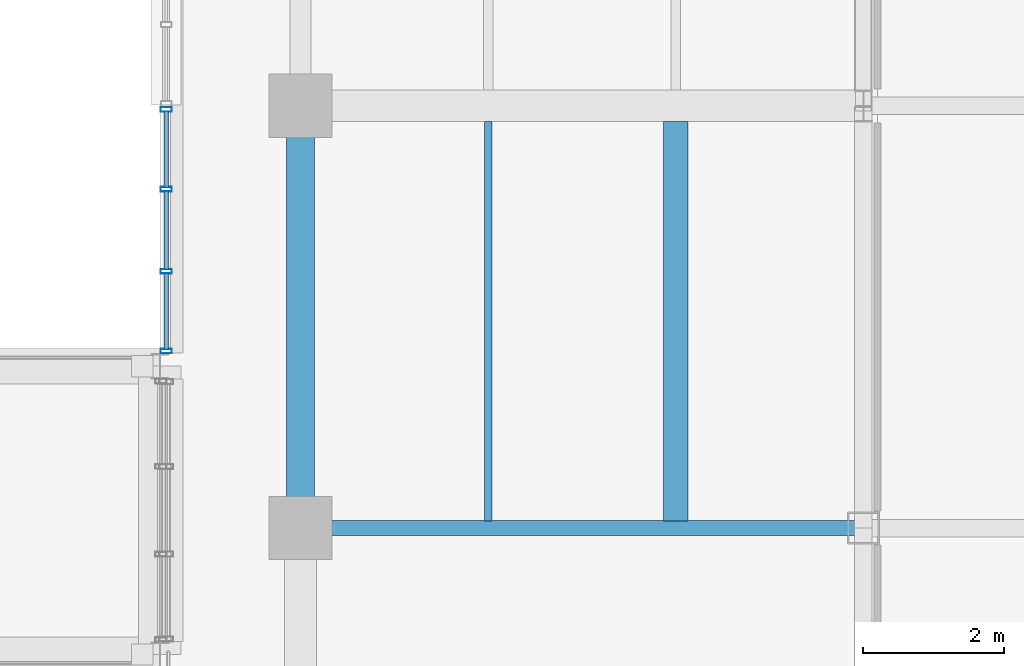
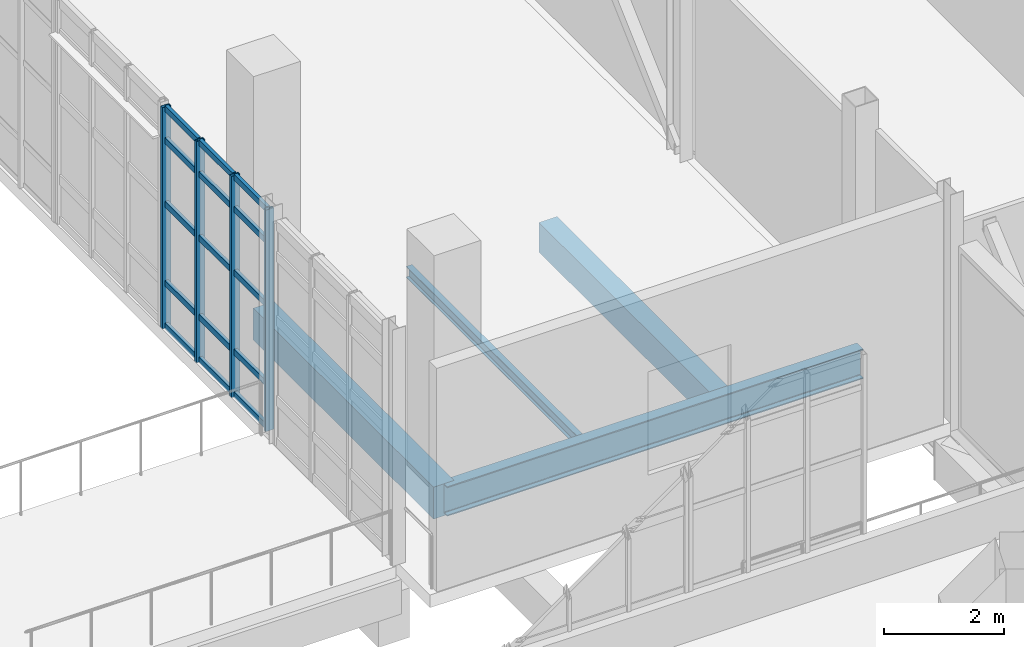
# One storey, part 27 of 100: 19 members, 4 beams, 1 element without a shape of its own.
"""IFC4 building model written with IfcOpenShell, lengths in metres."""

from ifc_helpers import new_model, si_unit, derived_unit, direction, frame, origin, origin_2d, place, context, subcontext, project, spatial, rectangle, hollow_rectangle, i_section, extrude, material, layer, layer_set, material_profile, profile_set, type_object, element, aggregate, save


model = new_model("IFC4")

# Units and contexts
model_context = context("Model", 3, precision=1e-05, world=origin(), true_north=direction((0.0, 1.0)))
body_context = subcontext(model_context, "Body", "Model", "MODEL_VIEW")
ifc_project = project(units=[si_unit("LENGTHUNIT", "METRE"), si_unit("AREAUNIT", "SQUARE_METRE"), si_unit("VOLUMEUNIT", "CUBIC_METRE"), si_unit("PLANEANGLEUNIT", "RADIAN"), si_unit("MASSUNIT", "GRAM", prefix="KILO"), derived_unit("THERMALTRANSMITTANCEUNIT", [(si_unit("POWERUNIT", "WATT"), 1), (si_unit("LENGTHUNIT", "METRE"), -2), (si_unit("THERMODYNAMICTEMPERATUREUNIT", "KELVIN"), -1)])], contexts=[model_context])

# Site, building, storey
site_placement = place(None, origin())
site = spatial("IfcSite", under=ifc_project, at=site_placement, CompositionType="ELEMENT")
building_placement = place(site_placement, origin())
building = spatial("IfcBuilding", under=site, at=building_placement, Name="Nallur Shell Playhouse", CompositionType="ELEMENT")
storey_placement = place(building_placement, frame((0.0, 0.0, 10.199951171875)))
storey = spatial("IfcBuildingStorey", under=building, at=storey_placement, Name="L03", CompositionType="ELEMENT", Elevation=10.199951171875)

# Beams
ifc_material_1 = material(Name="Steel E250", Category="steel")
ifc_material_profile_1 = material_profile(ifc_material_1, i_section(OverallWidth=0.110107421875, OverallDepth=0.22509765625, WebThickness=0.006591796875, FlangeThickness=0.01171875, FilletRadius=0.011962890625, at=origin_2d()), Name="ISMB 225")
ifc_profile_set_1 = profile_set([ifc_material_profile_1], Name="Steel E250")
beam_type_1 = type_object("IfcBeamType", Name="BM-JST-ISMB225", PredefinedType="JOIST", material=ifc_profile_set_1)
beam_1_placement = place(storey_placement, frame((58.666748046875, 50.10302734375, -0.37255859375), z_axis=(0.0, 1.0, 0.0), x_axis=(-1.0, 0.0, 0.0)))
element("IfcBeam", 1, at=beam_1_placement, inside=storey, type_object=beam_type_1, Name="L03 secondary joist 7-F-719", PredefinedType="JOIST", context=body_context, shape_type="SweptSolid", body=[
    extrude(i_section(OverallWidth=0.110107421875, OverallDepth=0.22509765625, WebThickness=0.006591796875, FlangeThickness=0.01171875, FilletRadius=0.011962890625, at=origin_2d()), origin(), (0.0, 0.0, 1.0), 5.674072265625),
])
ifc_material_2 = material(Name="Concrete M30", Category="concrete")
ifc_material_profile_2 = material_profile(ifc_material_2, rectangle(XDim=0.35009765625, YDim=0.60009765625, at=origin_2d()), Name="RC 350x600")
ifc_profile_set_2 = profile_set([ifc_material_profile_2], Name="Concrete M30")
beam_type_2 = type_object("IfcBeamType", Name="BM-RC-350x600", PredefinedType="JOIST", material=ifc_profile_set_2)
beam_2_placement = place(storey_placement, frame((61.333251953125, 50.10302734375, -0.56005859375), z_axis=(0.0, 1.0, 0.0), x_axis=(-1.0, 0.0, 0.0)))
element("IfcBeam", 2, at=beam_2_placement, inside=storey, type_object=beam_type_2, Name="L03 secondary joist 7-F-720", PredefinedType="JOIST", context=body_context, shape_type="SweptSolid", body=[
    extrude(rectangle(XDim=0.35009765625, YDim=0.60009765625, at=origin_2d()), origin(), (0.0, 0.0, 1.0), 5.674072265625),
])
ifc_material_3 = material(Name="Concrete M35", Category="concrete")
ifc_material_profile_3 = material_profile(ifc_material_3, rectangle(XDim=0.39990234375, YDim=0.64990234375, at=origin_2d()), Name="RC 400x650")
ifc_profile_set_3 = profile_set([ifc_material_profile_3], Name="Concrete M35")
beam_type_3 = type_object("IfcBeamType", Name="BM-RC-400x650", PredefinedType="BEAM", material=ifc_profile_set_3)
beam_3_placement = place(storey_placement, frame((56.0, 50.0, -0.5849609375), z_axis=(0.0, 1.0, 0.0), x_axis=(-1.0, 0.0, 0.0)))
element("IfcBeam", 3, at=beam_3_placement, inside=storey, type_object=beam_type_3, Name="L03 girder Y-7-655", PredefinedType="BEAM", context=body_context, shape_type="SweptSolid", body=[
    extrude(rectangle(XDim=0.39990234375, YDim=0.64990234375, at=origin_2d()), origin(), (0.0, 0.0, 1.0), 6.0),
])
ifc_material_4 = material(Name="Steel E350", Category="steel")
ifc_material_profile_4 = material_profile(ifc_material_4, i_section(OverallWidth=0.2099609375, OverallDepth=0.60009765625, WebThickness=0.011962890625, FlangeThickness=0.020751953125, FilletRadius=0.02001953125, at=origin_2d()), Name="ISMB 600")
ifc_profile_set_4 = profile_set([ifc_material_profile_4], Name="Steel E350")
beam_type_4 = type_object("IfcBeamType", Name="BM-ST-ISMB600", PredefinedType="BEAM", material=ifc_profile_set_4)
beam_4_placement = place(storey_placement, frame((56.0, 50.0, -0.56005859375), z_axis=(1.0, 0.0, 0.0), x_axis=(0.0, 1.0, 0.0)))
element("IfcBeam", 4, at=beam_4_placement, inside=storey, type_object=beam_type_4, Name="L03 girder X-F-600", PredefinedType="BEAM", context=body_context, shape_type="SweptSolid", body=[
    extrude(i_section(OverallWidth=0.2099609375, OverallDepth=0.60009765625, WebThickness=0.011962890625, FlangeThickness=0.020751953125, FilletRadius=0.02001953125, at=origin_2d()), origin(), (0.0, 0.0, 1.0), 8.0),
])

# Curtain wall, members
ifc_material_5 = material(Name="Anodised Aluminium Double-Glazed Facade System", Category="aluminium")
ifc_layer = layer(ifc_material_5, 0.172119140625)
ifc_layer_set = layer_set([ifc_layer], Name="Anodised Aluminium Double-Glazed Facade System")
curtain_wall_type = type_object("IfcCurtainWallType", Name="CW-UNIT-03", PredefinedType="NOTDEFINED", material=ifc_layer_set)
curtain_wall_placement = place(storey_placement, origin())
curtain_wall = element("IfcCurtainWall", 5, at=curtain_wall_placement, inside=storey, type_object=curtain_wall_type, Name="Unitised curtain wall CW-067 (L03)", PredefinedType="NOTDEFINED")
ifc_material_6 = material(Name="Aluminium Alloy 6063-T6 Mullion", Category="aluminium")
ifc_material_profile_5 = material_profile(ifc_material_6, hollow_rectangle(XDim=0.06494140625, YDim=0.159912109375, WallThickness=0.00390625, at=origin_2d()), Name="ALU 65x160x4")
ifc_profile_set_5 = profile_set([ifc_material_profile_5], Name="Aluminium Alloy 6063-T6 Mullion")
member_type_1 = type_object("IfcMemberType", Name="MB-CW-MUL160", PredefinedType="MULLION", material=ifc_profile_set_5)
member_1_placement = place(storey_placement, frame((54.090087890625, 52.515380859375, -0.014892578125), z_axis=(0.0, 0.0, 1.0), x_axis=(0.0, 1.0, 0.0)))
member_1 = element("IfcMember", 6, at=member_1_placement, type_object=member_type_1, Name="CW-03 mullion 1", PredefinedType="MULLION", context=body_context, shape_type="SweptSolid", body=[
    extrude(hollow_rectangle(XDim=0.06494140625, YDim=0.159912109375, WallThickness=0.00390625, at=origin_2d()), origin(), (0.0, 0.0, 1.0), 4.4990234375),
])
member_2_placement = place(storey_placement, frame((54.090087890625, 53.649169921875, -0.014892578125), z_axis=(0.0, 0.0, 1.0), x_axis=(0.0, 1.0, 0.0)))
member_2 = element("IfcMember", 7, at=member_2_placement, type_object=member_type_1, Name="CW-03 mullion 2", PredefinedType="MULLION", context=body_context, shape_type="SweptSolid", body=[
    extrude(hollow_rectangle(XDim=0.06494140625, YDim=0.159912109375, WallThickness=0.00390625, at=origin_2d()), origin(), (0.0, 0.0, 1.0), 4.4990234375),
])
member_3_placement = place(storey_placement, frame((54.090087890625, 54.815185546875, -0.014892578125), z_axis=(0.0, 0.0, 1.0), x_axis=(0.0, 1.0, 0.0)))
member_3 = element("IfcMember", 8, at=member_3_placement, type_object=member_type_1, Name="CW-03 mullion 3", PredefinedType="MULLION", context=body_context, shape_type="SweptSolid", body=[
    extrude(hollow_rectangle(XDim=0.06494140625, YDim=0.159912109375, WallThickness=0.00390625, at=origin_2d()), origin(), (0.0, 0.0, 1.0), 4.4990234375),
])
member_4_placement = place(storey_placement, frame((54.090087890625, 55.948974609375, -0.014892578125), z_axis=(0.0, 0.0, 1.0), x_axis=(0.0, 1.0, 0.0)))
member_4 = element("IfcMember", 9, at=member_4_placement, type_object=member_type_1, Name="CW-03 mullion 4", PredefinedType="MULLION", context=body_context, shape_type="SweptSolid", body=[
    extrude(hollow_rectangle(XDim=0.06494140625, YDim=0.159912109375, WallThickness=0.00390625, at=origin_2d()), origin(), (0.0, 0.0, 1.0), 4.4990234375),
])
ifc_material_7 = material(Name="Aluminium Alloy 6063-T6 Transom", Category="aluminium")
ifc_material_profile_6 = material_profile(ifc_material_7, hollow_rectangle(XDim=0.06494140625, YDim=0.1201171875, WallThickness=0.00390625, at=origin_2d()), Name="ALU 65x120x4")
ifc_profile_set_6 = profile_set([ifc_material_profile_6], Name="Aluminium Alloy 6063-T6 Transom")
member_type_2 = type_object("IfcMemberType", Name="MB-CW-TRN120", PredefinedType="USERDEFINED", material=ifc_profile_set_6)
member_5_placement = place(storey_placement, frame((54.090087890625, 52.5400390625, 0.032470703125), z_axis=(0.0, 1.0, 0.0), x_axis=(-1.0, 0.0, 0.0)))
member_5 = element("IfcMember", 10, at=member_5_placement, type_object=member_type_2, Name="CW-03 transom 1.1", ObjectType="TRANSOM", PredefinedType="USERDEFINED", context=body_context, shape_type="SweptSolid", body=[
    extrude(hollow_rectangle(XDim=0.06494140625, YDim=0.1201171875, WallThickness=0.00390625, at=origin_2d()), origin(), (0.0, 0.0, 1.0), 1.08447265625),
])
member_6_placement = place(storey_placement, frame((54.090087890625, 52.5400390625, 0.900146484375), z_axis=(0.0, 1.0, 0.0), x_axis=(-1.0, 0.0, 0.0)))
member_6 = element("IfcMember", 11, at=member_6_placement, type_object=member_type_2, Name="CW-03 transom 1.2", ObjectType="TRANSOM", PredefinedType="USERDEFINED", context=body_context, shape_type="SweptSolid", body=[
    extrude(hollow_rectangle(XDim=0.06494140625, YDim=0.1201171875, WallThickness=0.00390625, at=origin_2d()), origin(), (0.0, 0.0, 1.0), 1.08447265625),
])
member_7_placement = place(storey_placement, frame((54.090087890625, 52.5400390625, 2.509033203125), z_axis=(0.0, 1.0, 0.0), x_axis=(-1.0, 0.0, 0.0)))
member_7 = element("IfcMember", 12, at=member_7_placement, type_object=member_type_2, Name="CW-03 transom 1.3", ObjectType="TRANSOM", PredefinedType="USERDEFINED", context=body_context, shape_type="SweptSolid", body=[
    extrude(hollow_rectangle(XDim=0.06494140625, YDim=0.1201171875, WallThickness=0.00390625, at=origin_2d()), origin(), (0.0, 0.0, 1.0), 1.08447265625),
])
member_8_placement = place(storey_placement, frame((54.090087890625, 52.5400390625, 3.800048828125), z_axis=(0.0, 1.0, 0.0), x_axis=(-1.0, 0.0, 0.0)))
member_8 = element("IfcMember", 13, at=member_8_placement, type_object=member_type_2, Name="CW-03 transom 1.4", ObjectType="TRANSOM", PredefinedType="USERDEFINED", context=body_context, shape_type="SweptSolid", body=[
    extrude(hollow_rectangle(XDim=0.06494140625, YDim=0.1201171875, WallThickness=0.00390625, at=origin_2d()), origin(), (0.0, 0.0, 1.0), 1.08447265625),
])
member_9_placement = place(storey_placement, frame((54.090087890625, 52.5400390625, 4.447509765625), z_axis=(0.0, 1.0, 0.0), x_axis=(-1.0, 0.0, 0.0)))
member_9 = element("IfcMember", 14, at=member_9_placement, type_object=member_type_2, Name="CW-03 transom 1.5", ObjectType="TRANSOM", PredefinedType="USERDEFINED", context=body_context, shape_type="SweptSolid", body=[
    extrude(hollow_rectangle(XDim=0.06494140625, YDim=0.1201171875, WallThickness=0.00390625, at=origin_2d()), origin(), (0.0, 0.0, 1.0), 1.08447265625),
])
member_10_placement = place(storey_placement, frame((54.090087890625, 53.673583984375, 0.032470703125), z_axis=(0.0, 1.0, 0.0), x_axis=(-1.0, 0.0, 0.0)))
member_10 = element("IfcMember", 15, at=member_10_placement, type_object=member_type_2, Name="CW-03 transom 2.1", ObjectType="TRANSOM", PredefinedType="USERDEFINED", context=body_context, shape_type="SweptSolid", body=[
    extrude(hollow_rectangle(XDim=0.06494140625, YDim=0.1201171875, WallThickness=0.00390625, at=origin_2d()), origin(), (0.0, 0.0, 1.0), 1.1171875),
])
member_11_placement = place(storey_placement, frame((54.090087890625, 53.673583984375, 0.900146484375), z_axis=(0.0, 1.0, 0.0), x_axis=(-1.0, 0.0, 0.0)))
member_11 = element("IfcMember", 16, at=member_11_placement, type_object=member_type_2, Name="CW-03 transom 2.2", ObjectType="TRANSOM", PredefinedType="USERDEFINED", context=body_context, shape_type="SweptSolid", body=[
    extrude(hollow_rectangle(XDim=0.06494140625, YDim=0.1201171875, WallThickness=0.00390625, at=origin_2d()), origin(), (0.0, 0.0, 1.0), 1.1171875),
])
member_12_placement = place(storey_placement, frame((54.090087890625, 53.673583984375, 2.509033203125), z_axis=(0.0, 1.0, 0.0), x_axis=(-1.0, 0.0, 0.0)))
member_12 = element("IfcMember", 17, at=member_12_placement, type_object=member_type_2, Name="CW-03 transom 2.3", ObjectType="TRANSOM", PredefinedType="USERDEFINED", context=body_context, shape_type="SweptSolid", body=[
    extrude(hollow_rectangle(XDim=0.06494140625, YDim=0.1201171875, WallThickness=0.00390625, at=origin_2d()), origin(), (0.0, 0.0, 1.0), 1.1171875),
])
member_13_placement = place(storey_placement, frame((54.090087890625, 53.673583984375, 3.800048828125), z_axis=(0.0, 1.0, 0.0), x_axis=(-1.0, 0.0, 0.0)))
member_13 = element("IfcMember", 18, at=member_13_placement, type_object=member_type_2, Name="CW-03 transom 2.4", ObjectType="TRANSOM", PredefinedType="USERDEFINED", context=body_context, shape_type="SweptSolid", body=[
    extrude(hollow_rectangle(XDim=0.06494140625, YDim=0.1201171875, WallThickness=0.00390625, at=origin_2d()), origin(), (0.0, 0.0, 1.0), 1.1171875),
])
member_14_placement = place(storey_placement, frame((54.090087890625, 53.673583984375, 4.447509765625), z_axis=(0.0, 1.0, 0.0), x_axis=(-1.0, 0.0, 0.0)))
member_14 = element("IfcMember", 19, at=member_14_placement, type_object=member_type_2, Name="CW-03 transom 2.5", ObjectType="TRANSOM", PredefinedType="USERDEFINED", context=body_context, shape_type="SweptSolid", body=[
    extrude(hollow_rectangle(XDim=0.06494140625, YDim=0.1201171875, WallThickness=0.00390625, at=origin_2d()), origin(), (0.0, 0.0, 1.0), 1.1171875),
])
member_15_placement = place(storey_placement, frame((54.090087890625, 54.83984375, 0.032470703125), z_axis=(0.0, 1.0, 0.0), x_axis=(-1.0, 0.0, 0.0)))
member_15 = element("IfcMember", 20, at=member_15_placement, type_object=member_type_2, Name="CW-03 transom 3.1", ObjectType="TRANSOM", PredefinedType="USERDEFINED", context=body_context, shape_type="SweptSolid", body=[
    extrude(hollow_rectangle(XDim=0.06494140625, YDim=0.1201171875, WallThickness=0.00390625, at=origin_2d()), origin(), (0.0, 0.0, 1.0), 1.08447265625),
])
member_16_placement = place(storey_placement, frame((54.090087890625, 54.83984375, 0.900146484375), z_axis=(0.0, 1.0, 0.0), x_axis=(-1.0, 0.0, 0.0)))
member_16 = element("IfcMember", 21, at=member_16_placement, type_object=member_type_2, Name="CW-03 transom 3.2", ObjectType="TRANSOM", PredefinedType="USERDEFINED", context=body_context, shape_type="SweptSolid", body=[
    extrude(hollow_rectangle(XDim=0.06494140625, YDim=0.1201171875, WallThickness=0.00390625, at=origin_2d()), origin(), (0.0, 0.0, 1.0), 1.08447265625),
])
member_17_placement = place(storey_placement, frame((54.090087890625, 54.83984375, 2.509033203125), z_axis=(0.0, 1.0, 0.0), x_axis=(-1.0, 0.0, 0.0)))
member_17 = element("IfcMember", 22, at=member_17_placement, type_object=member_type_2, Name="CW-03 transom 3.3", ObjectType="TRANSOM", PredefinedType="USERDEFINED", context=body_context, shape_type="SweptSolid", body=[
    extrude(hollow_rectangle(XDim=0.06494140625, YDim=0.1201171875, WallThickness=0.00390625, at=origin_2d()), origin(), (0.0, 0.0, 1.0), 1.08447265625),
])
member_18_placement = place(storey_placement, frame((54.090087890625, 54.83984375, 3.800048828125), z_axis=(0.0, 1.0, 0.0), x_axis=(-1.0, 0.0, 0.0)))
member_18 = element("IfcMember", 23, at=member_18_placement, type_object=member_type_2, Name="CW-03 transom 3.4", ObjectType="TRANSOM", PredefinedType="USERDEFINED", context=body_context, shape_type="SweptSolid", body=[
    extrude(hollow_rectangle(XDim=0.06494140625, YDim=0.1201171875, WallThickness=0.00390625, at=origin_2d()), origin(), (0.0, 0.0, 1.0), 1.08447265625),
])
member_19_placement = place(storey_placement, frame((54.090087890625, 54.83984375, 4.447509765625), z_axis=(0.0, 1.0, 0.0), x_axis=(-1.0, 0.0, 0.0)))
member_19 = element("IfcMember", 24, at=member_19_placement, type_object=member_type_2, Name="CW-03 transom 3.5", ObjectType="TRANSOM", PredefinedType="USERDEFINED", context=body_context, shape_type="SweptSolid", body=[
    extrude(hollow_rectangle(XDim=0.06494140625, YDim=0.1201171875, WallThickness=0.00390625, at=origin_2d()), origin(), (0.0, 0.0, 1.0), 1.08447265625),
])
aggregate(curtain_wall, [member_1, member_2, member_3, member_4, member_5, member_6, member_7, member_8, member_9, member_10, member_11, member_12, member_13, member_14, member_15, member_16, member_17, member_18, member_19])

save(model, "model.ifc")
